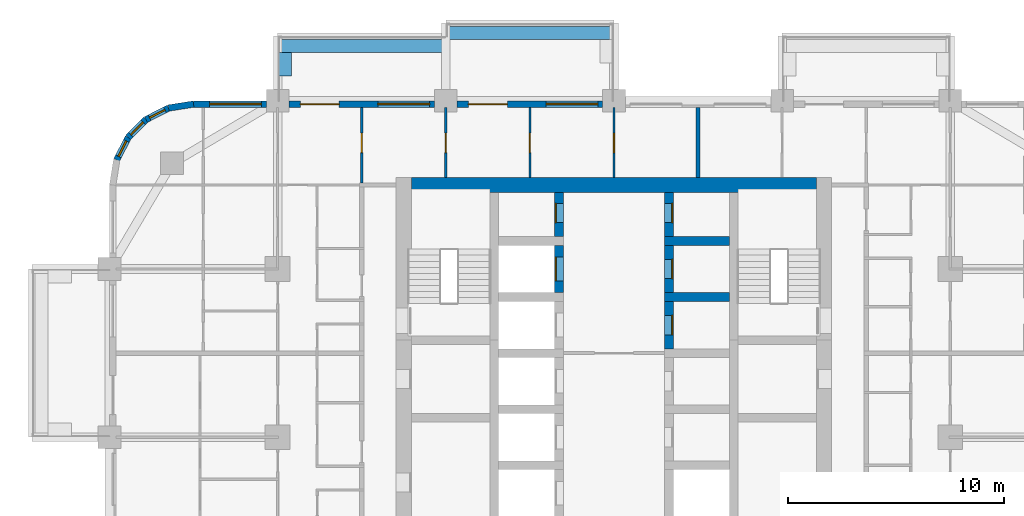
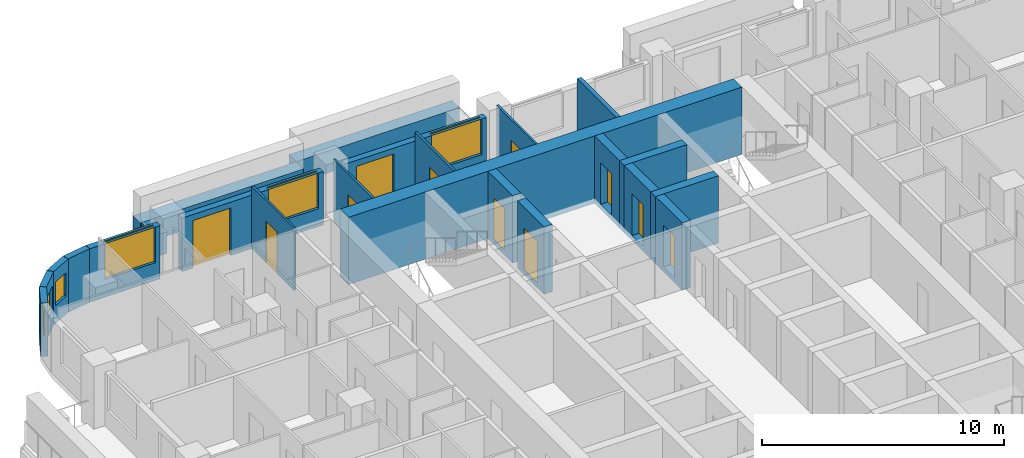
# One storey, part 11 of 17: 23 walls, 11 doors, 6 windows, 17 openings.
"""IFC4 building model written with IfcOpenShell, lengths in metres."""

from ifc_helpers import new_model, si_unit, direction, frame, frame_2d, origin, place, context, subcontext, project, spatial, rectangle, extrude, material, layer, layer_set, type_object, element, fill, save


model = new_model("IFC4")

# Units and contexts
model_context = context("Model", 3, precision=1e-05, world=origin(), true_north=direction((0.0, 1.0)))
body_context = subcontext(model_context, "Body", "Model", "MODEL_VIEW")
ifc_project = project(units=[si_unit("LENGTHUNIT", "METRE"), si_unit("AREAUNIT", "SQUARE_METRE"), si_unit("VOLUMEUNIT", "CUBIC_METRE"), si_unit("PLANEANGLEUNIT", "RADIAN"), si_unit("MASSUNIT", "GRAM", prefix="KILO")], contexts=[model_context])

# Site, building, storey
site_placement = place(None, origin())
site = spatial("IfcSite", under=ifc_project, at=site_placement, CompositionType="ELEMENT")
building_placement = place(site_placement, origin())
building = spatial("IfcBuilding", under=site, at=building_placement, Name="Ludao Terraces", CompositionType="ELEMENT")
storey_placement = place(building_placement, frame((0.0, 0.0, 19.5)))
storey = spatial("IfcBuildingStorey", under=building, at=storey_placement, Name="L04", CompositionType="ELEMENT", Elevation=19.5)

# Walls
ifc_material_1 = material(Name="Concrete C70", Category="concrete")
ifc_layer_1 = layer(ifc_material_1, 0.699951171875)
ifc_layer_set_1 = layer_set([ifc_layer_1], Name="Core wall 700 C70")
wall_type_1 = type_object("IfcWallType", Name="Core wall 700 C70", PredefinedType="SOLIDWALL", material=ifc_layer_set_1)
wall_1_placement = place(storey_placement, frame((75.60009765625, 84.5, -0.25), z_axis=(0.0, 0.0, 1.0), x_axis=(1.0, 0.0, 0.0)))
element("IfcWall", 1, at=wall_1_placement, inside=storey, type_object=wall_type_1, Name="Core wall L04 outer-N", PredefinedType="SOLIDWALL", context=body_context, shape_type="SweptSolid", body=[
    extrude(rectangle(XDim=18.7998046875, YDim=0.699951171875, at=frame_2d((9.39990234375, 0.0))), origin(), (0.0, 0.0, 1.0), 3.39990234375),
])
ifc_material_2 = material(Name="Concrete C40", Category="concrete")
ifc_layer_2 = layer(ifc_material_2, 0.60009765625)
ifc_layer_set_2 = layer_set([ifc_layer_2], Name="ENV Planter trough 600")
wall_type_2 = type_object("IfcWallType", Name="ENV Planter trough 600", PredefinedType="USERDEFINED", material=ifc_layer_set_2)
wall_2_placement = place(storey_placement, frame((69.39990234375, 90.949951171875, 0.0), z_axis=(0.0, 0.0, 1.0), x_axis=(1.0, 0.0, 0.0)))
element("IfcWall", 2, at=wall_2_placement, inside=storey, type_object=wall_type_2, Name="PL-L04-N1", ObjectType="PLANTER", PredefinedType="USERDEFINED", context=body_context, shape_type="SweptSolid", body=[
    extrude(rectangle(XDim=7.800048828125, YDim=0.60009765625, at=frame_2d((3.89990234375, 0.0))), origin(), (0.0, 0.0, 1.0), 1.10009765625),
])
wall_3_placement = place(storey_placement, frame((69.75, 90.64990234375, 0.0), z_axis=(0.0, 0.0, 1.0), x_axis=(0.0, -1.0, 0.0)))
element("IfcWall", 3, at=wall_3_placement, inside=storey, type_object=wall_type_2, Name="PL-L04-N1-SA", ObjectType="PLANTER", PredefinedType="USERDEFINED", context=body_context, shape_type="SweptSolid", body=[
    extrude(rectangle(XDim=1.099853515625, YDim=0.60009765625, at=frame_2d((0.5498046875, 0.0))), origin(), (0.0, 0.0, 1.0), 1.10009765625),
])
wall_4_placement = place(storey_placement, frame((77.199951171875, 91.550048828125, 0.0), z_axis=(0.0, 0.0, 1.0), x_axis=(1.0, 0.0, 0.0)))
element("IfcWall", 4, at=wall_4_placement, inside=storey, type_object=wall_type_2, Name="PL-L04-N2", ObjectType="PLANTER", PredefinedType="USERDEFINED", context=body_context, shape_type="SweptSolid", body=[
    extrude(rectangle(XDim=7.800048828125, YDim=0.60009765625, at=frame_2d((3.89990234375, 0.0))), origin(), (0.0, 0.0, 1.0), 1.10009765625),
])

# Wall, opening, window
ifc_material_3 = material(Name="Granite cladding", Category="masonry")
ifc_layer_3 = layer(ifc_material_3, 0.0400390625, Category="stone")
ifc_material_4 = material(Name="Mineral wool")
ifc_layer_4 = layer(ifc_material_4, 0.06005859375)
ifc_layer_5 = layer(ifc_material_2, 0.199951171875, Category="concrete")
ifc_layer_set_3 = layer_set([ifc_layer_3, ifc_layer_4, ifc_layer_5], Name="ENV Stone-clad wall 300")
wall_type_3 = type_object("IfcWallType", Name="ENV Stone-clad wall 300", PredefinedType="SOLIDWALL", material=ifc_layer_set_3)
wall_5_placement = place(storey_placement, frame((65.5, 88.25, 0.0), z_axis=(0.0, 0.0, 1.0), x_axis=(1.0, 0.0, 0.0)))
wall_5 = element("IfcWall", 5, at=wall_5_placement, inside=storey, type_object=wall_type_3, Name="EW-L04-N1", PredefinedType="SOLIDWALL", context=body_context, shape_type="SweptSolid", body=[
    extrude(rectangle(XDim=3.375, YDim=0.300048828125, at=frame_2d((1.6875, 0.0))), origin(), (0.0, 0.0, 1.0), 2.699951171875),
])
opening_1_placement = place(wall_5_placement, frame((0.75, 0.0, 0.89990234375)))
opening_1 = element("IfcOpeningElement", 6, at=opening_1_placement, cuts=wall_5, Name="Opening W1", PredefinedType="OPENING", context=body_context, shape_type="SweptSolid", body=[
    extrude(rectangle(XDim=2.39990234375, YDim=1.800048828125, at=frame_2d((1.199951171875, 0.89990234375))), frame((0.0, 0.16015625, 0.0), z_axis=(0.0, -1.0, 0.0), x_axis=(1.0, 0.0, 0.0)), (0.0, 0.0, 1.0), 0.320068359375),
])
ifc_material_5 = material(Name="Clear glass in aluminium frame", Category="aluminium")
ifc_layer_6 = layer(ifc_material_5, 0.06005859375)
ifc_layer_set_4 = layer_set([ifc_layer_6], Name="ENV Window W1 2400x1800")
window_type_1 = type_object("IfcWindowType", Name="ENV Window W1 2400x1800", PartitioningType="DOUBLE_PANEL_VERTICAL", PredefinedType="WINDOW", material=ifc_layer_set_4)
window_1_placement = place(opening_1_placement, origin())
window_1 = element("IfcWindow", 7, at=window_1_placement, inside=storey, type_object=window_type_1, Name="W-L04-N1-1", OverallHeight=1.800048828125, OverallWidth=2.39990234375, PartitioningType="DOUBLE_PANEL_VERTICAL", PredefinedType="WINDOW", context=body_context, shape_type="SweptSolid", body=[
    extrude(rectangle(XDim=2.39990234375, YDim=1.800048828125, at=frame_2d((1.199951171875, 0.89990234375))), frame((0.0, 0.030029296875, 0.0), z_axis=(0.0, -1.0, 0.0), x_axis=(1.0, 0.0, 0.0)), (0.0, 0.0, 1.0), 0.06005859375),
])
fill(opening_1, window_1)

# Wall, openings, door, window
wall_6_placement = place(storey_placement, frame((69.925048828125, 88.25, 0.0), z_axis=(0.0, 0.0, 1.0), x_axis=(1.0, 0.0, 0.0)))
wall_6 = element("IfcWall", 8, at=wall_6_placement, inside=storey, type_object=wall_type_3, Name="EW-L04-N2", PredefinedType="SOLIDWALL", context=body_context, shape_type="SweptSolid", body=[
    extrude(rectangle(XDim=6.75, YDim=0.300048828125, at=frame_2d((3.375, 0.0))), origin(), (0.0, 0.0, 1.0), 2.699951171875),
])
opening_2_placement = place(wall_6_placement, frame((0.52490234375, 0.0, 0.0)))
opening_2 = element("IfcOpeningElement", 9, at=opening_2_placement, cuts=wall_6, Name="Opening BD", PredefinedType="OPENING", context=body_context, shape_type="SweptSolid", body=[
    extrude(rectangle(XDim=1.800048828125, YDim=2.39990234375, at=frame_2d((0.89990234375, 1.199951171875))), frame((0.0, 0.16015625, 0.0), z_axis=(0.0, -1.0, 0.0), x_axis=(1.0, 0.0, 0.0)), (0.0, 0.0, 1.0), 0.320068359375),
])
opening_3_placement = place(wall_6_placement, frame((4.125, 0.0, 0.89990234375)))
opening_3 = element("IfcOpeningElement", 10, at=opening_3_placement, cuts=wall_6, Name="Opening W1", PredefinedType="OPENING", context=body_context, shape_type="SweptSolid", body=[
    extrude(rectangle(XDim=2.39990234375, YDim=1.800048828125, at=frame_2d((1.199951171875, 0.89990234375))), frame((0.0, 0.16015625, 0.0), z_axis=(0.0, -1.0, 0.0), x_axis=(1.0, 0.0, 0.0)), (0.0, 0.0, 1.0), 0.320068359375),
])
ifc_material_6 = material(Name="Aluminium glazed door", Category="aluminium")
ifc_layer_7 = layer(ifc_material_6, 0.06005859375)
ifc_layer_set_5 = layer_set([ifc_layer_7], Name="ENV Balcony door BD 1800x2400")
door_type_1 = type_object("IfcDoorType", Name="ENV Balcony door BD 1800x2400", OperationType="DOUBLE_DOOR_SINGLE_SWING", PredefinedType="DOOR", material=ifc_layer_set_5)
door_1_placement = place(opening_2_placement, origin())
door_1 = element("IfcDoor", 11, at=door_1_placement, inside=storey, type_object=door_type_1, Name="BD-L04-N2-1", OperationType="DOUBLE_DOOR_SINGLE_SWING", OverallHeight=2.39990234375, OverallWidth=1.800048828125, PredefinedType="DOOR", context=body_context, shape_type="SweptSolid", body=[
    extrude(rectangle(XDim=1.800048828125, YDim=2.39990234375, at=frame_2d((0.89990234375, 1.199951171875))), frame((0.0, 0.02490234375, 0.0), z_axis=(0.0, -1.0, 0.0), x_axis=(1.0, 0.0, 0.0)), (0.0, 0.0, 1.0), 0.050048828125),
])
fill(opening_2, door_1)
window_2_placement = place(opening_3_placement, origin())
window_2 = element("IfcWindow", 12, at=window_2_placement, inside=storey, type_object=window_type_1, Name="W-L04-N2-2", OverallHeight=1.800048828125, OverallWidth=2.39990234375, PartitioningType="DOUBLE_PANEL_VERTICAL", PredefinedType="WINDOW", context=body_context, shape_type="SweptSolid", body=[
    extrude(rectangle(XDim=2.39990234375, YDim=1.800048828125, at=frame_2d((1.199951171875, 0.89990234375))), frame((0.0, 0.030029296875, 0.0), z_axis=(0.0, -1.0, 0.0), x_axis=(1.0, 0.0, 0.0)), (0.0, 0.0, 1.0), 0.06005859375),
])
fill(opening_3, window_2)

wall_7_placement = place(storey_placement, frame((77.72509765625, 88.25, 0.0), z_axis=(0.0, 0.0, 1.0), x_axis=(1.0, 0.0, 0.0)))
wall_7 = element("IfcWall", 13, at=wall_7_placement, inside=storey, type_object=wall_type_3, Name="EW-L04-N3", PredefinedType="SOLIDWALL", context=body_context, shape_type="SweptSolid", body=[
    extrude(rectangle(XDim=6.75, YDim=0.300048828125, at=frame_2d((3.375, 0.0))), origin(), (0.0, 0.0, 1.0), 2.699951171875),
])
opening_4_placement = place(wall_7_placement, frame((0.52490234375, 0.0, 0.0)))
opening_4 = element("IfcOpeningElement", 14, at=opening_4_placement, cuts=wall_7, Name="Opening BD", PredefinedType="OPENING", context=body_context, shape_type="SweptSolid", body=[
    extrude(rectangle(XDim=1.800048828125, YDim=2.39990234375, at=frame_2d((0.89990234375, 1.199951171875))), frame((0.0, 0.16015625, 0.0), z_axis=(0.0, -1.0, 0.0), x_axis=(1.0, 0.0, 0.0)), (0.0, 0.0, 1.0), 0.320068359375),
])
opening_5_placement = place(wall_7_placement, frame((4.125, 0.0, 0.89990234375)))
opening_5 = element("IfcOpeningElement", 15, at=opening_5_placement, cuts=wall_7, Name="Opening W1", PredefinedType="OPENING", context=body_context, shape_type="SweptSolid", body=[
    extrude(rectangle(XDim=2.39990234375, YDim=1.800048828125, at=frame_2d((1.199951171875, 0.89990234375))), frame((0.0, 0.16015625, 0.0), z_axis=(0.0, -1.0, 0.0), x_axis=(1.0, 0.0, 0.0)), (0.0, 0.0, 1.0), 0.320068359375),
])
door_2_placement = place(opening_4_placement, origin())
door_2 = element("IfcDoor", 16, at=door_2_placement, inside=storey, type_object=door_type_1, Name="BD-L04-N3-1", OperationType="DOUBLE_DOOR_SINGLE_SWING", OverallHeight=2.39990234375, OverallWidth=1.800048828125, PredefinedType="DOOR", context=body_context, shape_type="SweptSolid", body=[
    extrude(rectangle(XDim=1.800048828125, YDim=2.39990234375, at=frame_2d((0.89990234375, 1.199951171875))), frame((0.0, 0.02490234375, 0.0), z_axis=(0.0, -1.0, 0.0), x_axis=(1.0, 0.0, 0.0)), (0.0, 0.0, 1.0), 0.050048828125),
])
fill(opening_4, door_2)
window_3_placement = place(opening_5_placement, origin())
window_3 = element("IfcWindow", 17, at=window_3_placement, inside=storey, type_object=window_type_1, Name="W-L04-N3-2", OverallHeight=1.800048828125, OverallWidth=2.39990234375, PartitioningType="DOUBLE_PANEL_VERTICAL", PredefinedType="WINDOW", context=body_context, shape_type="SweptSolid", body=[
    extrude(rectangle(XDim=2.39990234375, YDim=1.800048828125, at=frame_2d((1.199951171875, 0.89990234375))), frame((0.0, 0.030029296875, 0.0), z_axis=(0.0, -1.0, 0.0), x_axis=(1.0, 0.0, 0.0)), (0.0, 0.0, 1.0), 0.06005859375),
])
fill(opening_5, window_3)

# Wall
wall_8_placement = place(storey_placement, frame((65.5, 88.25, 0.0), z_axis=(0.0, 0.0, 1.0), x_axis=(-0.987678452879, -0.156496880861, 0.0)))
element("IfcWall", 18, at=wall_8_placement, inside=storey, type_object=wall_type_3, Name="EW-L04-NW1", PredefinedType="SOLIDWALL", context=body_context, shape_type="SweptSolid", body=[
    extrude(rectangle(XDim=1.173095703125, YDim=0.300048828125, at=frame_2d((0.58642578125, 0.0))), origin(), (0.0, 0.0, 1.0), 2.699951171875),
])

# Wall, opening, window
wall_9_placement = place(storey_placement, frame((64.34130859375, 88.06640625, 0.0), z_axis=(0.0, 0.0, 1.0), x_axis=(-0.890988677504, -0.454025524128, 0.0)))
wall_9 = element("IfcWall", 19, at=wall_9_placement, inside=storey, type_object=wall_type_3, Name="EW-L04-NW2", PredefinedType="SOLIDWALL", context=body_context, shape_type="SweptSolid", body=[
    extrude(rectangle(XDim=1.17333984375, YDim=0.300048828125, at=frame_2d((0.586669921875, 0.0))), origin(), (0.0, 0.0, 1.0), 2.699951171875),
])
opening_6_placement = place(wall_9_placement, frame((0.1865234375, 0.0, 0.89990234375)))
opening_6 = element("IfcOpeningElement", 20, at=opening_6_placement, cuts=wall_9, Name="Opening W3", PredefinedType="OPENING", context=body_context, shape_type="SweptSolid", body=[
    extrude(rectangle(XDim=0.800048828125, YDim=1.199951171875, at=frame_2d((0.39990234375, 0.60009765625))), frame((0.0, 0.16015625, 0.0), z_axis=(0.0, -1.0, 0.0), x_axis=(1.0, 0.0, 0.0)), (0.0, 0.0, 1.0), 0.320068359375),
])
ifc_layer_8 = layer(ifc_material_5, 0.06005859375)
ifc_layer_set_6 = layer_set([ifc_layer_8], Name="ENV Window W3 800x1200")
window_type_2 = type_object("IfcWindowType", Name="ENV Window W3 800x1200", PartitioningType="SINGLE_PANEL", PredefinedType="WINDOW", material=ifc_layer_set_6)
window_4_placement = place(opening_6_placement, origin())
window_4 = element("IfcWindow", 21, at=window_4_placement, inside=storey, type_object=window_type_2, Name="W-L04-NW2", OverallHeight=1.199951171875, OverallWidth=0.800048828125, PartitioningType="SINGLE_PANEL", PredefinedType="WINDOW", context=body_context, shape_type="SweptSolid", body=[
    extrude(rectangle(XDim=0.800048828125, YDim=1.199951171875, at=frame_2d((0.39990234375, 0.60009765625))), frame((0.0, 0.030029296875, 0.0), z_axis=(0.0, -1.0, 0.0), x_axis=(1.0, 0.0, 0.0)), (0.0, 0.0, 1.0), 0.06005859375),
])
fill(opening_6, window_4)

wall_10_placement = place(storey_placement, frame((63.2958984375, 87.53369140625, 0.0), z_axis=(0.0, 0.0, 1.0), x_axis=(-0.707106781187, -0.707106781187, 0.0)))
wall_10 = element("IfcWall", 22, at=wall_10_placement, inside=storey, type_object=wall_type_3, Name="EW-L04-NW3", PredefinedType="SOLIDWALL", context=body_context, shape_type="SweptSolid", body=[
    extrude(rectangle(XDim=1.173095703125, YDim=0.300048828125, at=frame_2d((0.58642578125, 0.0))), origin(), (0.0, 0.0, 1.0), 2.699951171875),
])
opening_7_placement = place(wall_10_placement, frame((0.1865234375, 0.0, 0.89990234375)))
opening_7 = element("IfcOpeningElement", 23, at=opening_7_placement, cuts=wall_10, Name="Opening W3", PredefinedType="OPENING", context=body_context, shape_type="SweptSolid", body=[
    extrude(rectangle(XDim=0.800048828125, YDim=1.199951171875, at=frame_2d((0.39990234375, 0.60009765625))), frame((0.0, 0.16015625, 0.0), z_axis=(0.0, -1.0, 0.0), x_axis=(1.0, 0.0, 0.0)), (0.0, 0.0, 1.0), 0.320068359375),
])
window_5_placement = place(opening_7_placement, origin())
window_5 = element("IfcWindow", 24, at=window_5_placement, inside=storey, type_object=window_type_2, Name="W-L04-NW3", OverallHeight=1.199951171875, OverallWidth=0.800048828125, PartitioningType="SINGLE_PANEL", PredefinedType="WINDOW", context=body_context, shape_type="SweptSolid", body=[
    extrude(rectangle(XDim=0.800048828125, YDim=1.199951171875, at=frame_2d((0.39990234375, 0.60009765625))), frame((0.0, 0.030029296875, 0.0), z_axis=(0.0, -1.0, 0.0), x_axis=(1.0, 0.0, 0.0)), (0.0, 0.0, 1.0), 0.06005859375),
])
fill(opening_7, window_5)

wall_11_placement = place(storey_placement, frame((62.46630859375, 86.7041015625, 0.0), z_axis=(0.0, 0.0, 1.0), x_axis=(-0.454025524128, -0.890988677504, 0.0)))
wall_11 = element("IfcWall", 25, at=wall_11_placement, inside=storey, type_object=wall_type_3, Name="EW-L04-NW4", PredefinedType="SOLIDWALL", context=body_context, shape_type="SweptSolid", body=[
    extrude(rectangle(XDim=1.17333984375, YDim=0.300048828125, at=frame_2d((0.586669921875, 0.0))), origin(), (0.0, 0.0, 1.0), 2.699951171875),
])
opening_8_placement = place(wall_11_placement, frame((0.1865234375, 0.0, 0.89990234375)))
opening_8 = element("IfcOpeningElement", 26, at=opening_8_placement, cuts=wall_11, Name="Opening W3", PredefinedType="OPENING", context=body_context, shape_type="SweptSolid", body=[
    extrude(rectangle(XDim=0.800048828125, YDim=1.199951171875, at=frame_2d((0.39990234375, 0.60009765625))), frame((0.0, 0.16015625, 0.0), z_axis=(0.0, -1.0, 0.0), x_axis=(1.0, 0.0, 0.0)), (0.0, 0.0, 1.0), 0.320068359375),
])
window_6_placement = place(opening_8_placement, origin())
window_6 = element("IfcWindow", 27, at=window_6_placement, inside=storey, type_object=window_type_2, Name="W-L04-NW4", OverallHeight=1.199951171875, OverallWidth=0.800048828125, PartitioningType="SINGLE_PANEL", PredefinedType="WINDOW", context=body_context, shape_type="SweptSolid", body=[
    extrude(rectangle(XDim=0.800048828125, YDim=1.199951171875, at=frame_2d((0.39990234375, 0.60009765625))), frame((0.0, 0.030029296875, 0.0), z_axis=(0.0, -1.0, 0.0), x_axis=(1.0, 0.0, 0.0)), (0.0, 0.0, 1.0), 0.06005859375),
])
fill(opening_8, window_6)

# Wall, opening, door
ifc_material_7 = material(Name="Gypsum plasterboard", Category="gypsum")
ifc_layer_9 = layer(ifc_material_7, 0.012451171875, Category="gypsum")
ifc_layer_10 = layer(ifc_material_4, 0.06005859375, Name="insulation")
ifc_material_8 = material(Name="Steel Q235", Category="steel")
ifc_layer_11 = layer(ifc_material_8, 0.014892578125, Name="stud")
ifc_layer_12 = layer(ifc_material_7, 0.012451171875, Category="gypsum")
ifc_layer_set_7 = layer_set([ifc_layer_9, ifc_layer_10, ifc_layer_11, ifc_layer_12], Name="INT Partition 100")
wall_type_4 = type_object("IfcWallType", Name="INT Partition 100", PredefinedType="PARTITIONING", material=ifc_layer_set_7)
wall_12_placement = place(storey_placement, frame((73.300048828125, 84.60009765625, 0.0), z_axis=(0.0, 0.0, 1.0), x_axis=(0.0, 1.0, 0.0)))
wall_12 = element("IfcWall", 28, at=wall_12_placement, inside=storey, type_object=wall_type_4, Name="PW-L04-PW085", PredefinedType="PARTITIONING", context=body_context, shape_type="SweptSolid", body=[
    extrude(rectangle(XDim=3.5, YDim=0.10009765625, at=frame_2d((1.75, 0.0))), origin(), (0.0, 0.0, 1.0), 3.14990234375),
])
opening_9_placement = place(wall_12_placement, frame((1.39990234375, 0.0, 0.0)))
opening_9 = element("IfcOpeningElement", 29, at=opening_9_placement, cuts=wall_12, Name="Opening R01-151", PredefinedType="OPENING", context=body_context, shape_type="SweptSolid", body=[
    extrude(rectangle(XDim=0.89990234375, YDim=2.10009765625, at=frame_2d((0.449951171875, 1.050048828125))), frame((0.0, 0.06005859375, 0.0), z_axis=(0.0, -1.0, 0.0), x_axis=(1.0, 0.0, 0.0)), (0.0, 0.0, 1.0), 0.1201171875),
])
ifc_material_9 = material(Name="Timber door leaf", Category="wood")
door_type_2 = type_object("IfcDoorType", Name="INT Room door 900", OperationType="SINGLE_SWING_LEFT", PredefinedType="DOOR", material=ifc_material_9)
door_3_placement = place(opening_9_placement, origin())
door_3 = element("IfcDoor", 30, at=door_3_placement, inside=storey, type_object=door_type_2, Name="DOOR 151", OperationType="SINGLE_SWING_LEFT", OverallHeight=2.10009765625, OverallWidth=0.89990234375, PredefinedType="DOOR", context=body_context, shape_type="SweptSolid", body=[
    extrude(rectangle(XDim=0.89990234375, YDim=2.10009765625, at=frame_2d((0.449951171875, 1.050048828125))), frame((0.0, 0.02490234375, 0.0), z_axis=(0.0, -1.0, 0.0), x_axis=(1.0, 0.0, 0.0)), (0.0, 0.0, 1.0), 0.050048828125),
])
fill(opening_9, door_3)

wall_13_placement = place(storey_placement, frame((77.199951171875, 84.85009765625, 0.0), z_axis=(0.0, 0.0, 1.0), x_axis=(0.0, 1.0, 0.0)))
wall_13 = element("IfcWall", 31, at=wall_13_placement, inside=storey, type_object=wall_type_4, Name="PW-L04-PW089", PredefinedType="PARTITIONING", context=body_context, shape_type="SweptSolid", body=[
    extrude(rectangle(XDim=3.25, YDim=0.10009765625, at=frame_2d((1.625, 0.0))), origin(), (0.0, 0.0, 1.0), 3.14990234375),
])
opening_10_placement = place(wall_13_placement, frame((1.14990234375, 0.0, 0.0)))
opening_10 = element("IfcOpeningElement", 32, at=opening_10_placement, cuts=wall_13, Name="Opening R01-152", PredefinedType="OPENING", context=body_context, shape_type="SweptSolid", body=[
    extrude(rectangle(XDim=0.89990234375, YDim=2.10009765625, at=frame_2d((0.449951171875, 1.050048828125))), frame((0.0, 0.06005859375, 0.0), z_axis=(0.0, -1.0, 0.0), x_axis=(1.0, 0.0, 0.0)), (0.0, 0.0, 1.0), 0.1201171875),
])
door_4_placement = place(opening_10_placement, origin())
door_4 = element("IfcDoor", 33, at=door_4_placement, inside=storey, type_object=door_type_2, Name="DOOR 152", OperationType="SINGLE_SWING_RIGHT", OverallHeight=2.10009765625, OverallWidth=0.89990234375, PredefinedType="DOOR", context=body_context, shape_type="SweptSolid", body=[
    extrude(rectangle(XDim=0.89990234375, YDim=2.10009765625, at=frame_2d((0.449951171875, 1.050048828125))), frame((0.0, 0.02490234375, 0.0), z_axis=(0.0, -1.0, 0.0), x_axis=(1.0, 0.0, 0.0)), (0.0, 0.0, 1.0), 0.050048828125),
])
fill(opening_10, door_4)

wall_14_placement = place(storey_placement, frame((81.10009765625, 84.85009765625, 0.0), z_axis=(0.0, 0.0, 1.0), x_axis=(0.0, 1.0, 0.0)))
wall_14 = element("IfcWall", 34, at=wall_14_placement, inside=storey, type_object=wall_type_4, Name="PW-L04-PW093", PredefinedType="PARTITIONING", context=body_context, shape_type="SweptSolid", body=[
    extrude(rectangle(XDim=3.25, YDim=0.10009765625, at=frame_2d((1.625, 0.0))), origin(), (0.0, 0.0, 1.0), 3.14990234375),
])
opening_11_placement = place(wall_14_placement, frame((1.14990234375, 0.0, 0.0)))
opening_11 = element("IfcOpeningElement", 35, at=opening_11_placement, cuts=wall_14, Name="Opening R01-153", PredefinedType="OPENING", context=body_context, shape_type="SweptSolid", body=[
    extrude(rectangle(XDim=0.89990234375, YDim=2.10009765625, at=frame_2d((0.449951171875, 1.050048828125))), frame((0.0, 0.06005859375, 0.0), z_axis=(0.0, -1.0, 0.0), x_axis=(1.0, 0.0, 0.0)), (0.0, 0.0, 1.0), 0.1201171875),
])
door_5_placement = place(opening_11_placement, origin())
door_5 = element("IfcDoor", 36, at=door_5_placement, inside=storey, type_object=door_type_2, Name="DOOR 153", OperationType="SINGLE_SWING_RIGHT", OverallHeight=2.10009765625, OverallWidth=0.89990234375, PredefinedType="DOOR", context=body_context, shape_type="SweptSolid", body=[
    extrude(rectangle(XDim=0.89990234375, YDim=2.10009765625, at=frame_2d((0.449951171875, 1.050048828125))), frame((0.0, 0.02490234375, 0.0), z_axis=(0.0, -1.0, 0.0), x_axis=(1.0, 0.0, 0.0)), (0.0, 0.0, 1.0), 0.050048828125),
])
fill(opening_11, door_5)

wall_15_placement = place(storey_placement, frame((85.0, 84.85009765625, 0.0), z_axis=(0.0, 0.0, 1.0), x_axis=(0.0, 1.0, 0.0)))
wall_15 = element("IfcWall", 37, at=wall_15_placement, inside=storey, type_object=wall_type_4, Name="PW-L04-PW097", PredefinedType="PARTITIONING", context=body_context, shape_type="SweptSolid", body=[
    extrude(rectangle(XDim=3.25, YDim=0.10009765625, at=frame_2d((1.625, 0.0))), origin(), (0.0, 0.0, 1.0), 3.14990234375),
])
opening_12_placement = place(wall_15_placement, frame((1.14990234375, 0.0, 0.0)))
opening_12 = element("IfcOpeningElement", 38, at=opening_12_placement, cuts=wall_15, Name="Opening R01-154", PredefinedType="OPENING", context=body_context, shape_type="SweptSolid", body=[
    extrude(rectangle(XDim=0.89990234375, YDim=2.10009765625, at=frame_2d((0.449951171875, 1.050048828125))), frame((0.0, 0.06005859375, 0.0), z_axis=(0.0, -1.0, 0.0), x_axis=(1.0, 0.0, 0.0)), (0.0, 0.0, 1.0), 0.1201171875),
])
door_6_placement = place(opening_12_placement, origin())
door_6 = element("IfcDoor", 39, at=door_6_placement, inside=storey, type_object=door_type_2, Name="DOOR 154", OperationType="SINGLE_SWING_RIGHT", OverallHeight=2.10009765625, OverallWidth=0.89990234375, PredefinedType="DOOR", context=body_context, shape_type="SweptSolid", body=[
    extrude(rectangle(XDim=0.89990234375, YDim=2.10009765625, at=frame_2d((0.449951171875, 1.050048828125))), frame((0.0, 0.02490234375, 0.0), z_axis=(0.0, -1.0, 0.0), x_axis=(1.0, 0.0, 0.0)), (0.0, 0.0, 1.0), 0.050048828125),
])
fill(opening_12, door_6)

# Wall
ifc_material_10 = material(Name="Autoclaved aerated concrete block B06 A3.5", Category="concrete")
ifc_layer_13 = layer(ifc_material_10, 0.199951171875)
ifc_layer_set_8 = layer_set([ifc_layer_13], Name="INT Party wall 200")
wall_type_5 = type_object("IfcWallType", Name="INT Party wall 200", PredefinedType="PARTITIONING", material=ifc_layer_set_8)
wall_16_placement = place(storey_placement, frame((88.89990234375, 84.85009765625, 0.0), z_axis=(0.0, 0.0, 1.0), x_axis=(0.0, 1.0, 0.0)))
element("IfcWall", 40, at=wall_16_placement, inside=storey, type_object=wall_type_5, Name="PW-L04-PW102", PredefinedType="PARTITIONING", context=body_context, shape_type="SweptSolid", body=[
    extrude(rectangle(XDim=3.25, YDim=0.199951171875, at=frame_2d((1.625, 0.0))), origin(), (0.0, 0.0, 1.0), 3.14990234375),
])

# Wall, opening, door
ifc_material_11 = material(Name="Concrete C60", Category="concrete")
ifc_layer_14 = layer(ifc_material_11, 0.39990234375)
ifc_layer_set_9 = layer_set([ifc_layer_14], Name="Shaft wall 400 C60")
wall_type_6 = type_object("IfcWallType", Name="Shaft wall 400 C60", PredefinedType="SOLIDWALL", material=ifc_layer_set_9)
wall_17_placement = place(storey_placement, frame((82.449951171875, 79.5, -0.25), z_axis=(0.0, 0.0, 1.0), x_axis=(0.0, 1.0, 0.0)))
wall_17 = element("IfcWall", 41, at=wall_17_placement, inside=storey, type_object=wall_type_6, Name="Core wall L04 front-W8", PredefinedType="SOLIDWALL", context=body_context, shape_type="SweptSolid", body=[
    extrude(rectangle(XDim=2.199951171875, YDim=0.39990234375, at=frame_2d((1.10009765625, 0.0))), origin(), (0.0, 0.0, 1.0), 3.39990234375),
])
opening_13_placement = place(wall_17_placement, frame((0.550048828125, 0.0, 0.25)))
opening_13 = element("IfcOpeningElement", 42, at=opening_13_placement, cuts=wall_17, Name="Opening LD-FF2", PredefinedType="OPENING", context=body_context, shape_type="SweptSolid", body=[
    extrude(rectangle(XDim=1.10009765625, YDim=2.10009765625, at=frame_2d((0.550048828125, 1.050048828125))), frame((0.0, 0.2099609375, 0.0), z_axis=(0.0, -1.0, 0.0), x_axis=(1.0, 0.0, 0.0)), (0.0, 0.0, 1.0), 0.419921875),
])
ifc_material_12 = material(Name="Stainless steel 304", Category="steel")
door_type_3 = type_object("IfcDoorType", Name="INT Lift landing door 1100", OperationType="SLIDING_TO_LEFT", PredefinedType="DOOR", material=ifc_material_12)
door_7_placement = place(opening_13_placement, origin())
door_7 = element("IfcDoor", 43, at=door_7_placement, inside=storey, type_object=door_type_3, Name="LANDING DOOR FF2 L04", OperationType="SLIDING_TO_LEFT", OverallHeight=2.10009765625, OverallWidth=1.10009765625, PredefinedType="DOOR", context=body_context, shape_type="SweptSolid", body=[
    extrude(rectangle(XDim=1.10009765625, YDim=2.10009765625, at=frame_2d((0.550048828125, 1.050048828125))), frame((0.0, 0.18505859375, 0.0), z_axis=(0.0, -1.0, 0.0), x_axis=(1.0, 0.0, 0.0)), (0.0, 0.0, 1.0), 0.050048828125),
])
fill(opening_13, door_7)

wall_18_placement = place(storey_placement, frame((82.449951171875, 82.10009765625, -0.25), z_axis=(0.0, 0.0, 1.0), x_axis=(0.0, 1.0, 0.0)))
wall_18 = element("IfcWall", 44, at=wall_18_placement, inside=storey, type_object=wall_type_6, Name="Core wall L04 front-W9", PredefinedType="SOLIDWALL", context=body_context, shape_type="SweptSolid", body=[
    extrude(rectangle(XDim=2.0498046875, YDim=0.39990234375, at=frame_2d((1.02490234375, 0.0))), origin(), (0.0, 0.0, 1.0), 3.39990234375),
])
opening_14_placement = place(wall_18_placement, frame((0.64990234375, 0.0, 0.25)))
opening_14 = element("IfcOpeningElement", 45, at=opening_14_placement, cuts=wall_18, Name="Opening R01-144", PredefinedType="OPENING", context=body_context, shape_type="SweptSolid", body=[
    extrude(rectangle(XDim=0.89990234375, YDim=2.10009765625, at=frame_2d((0.449951171875, 1.050048828125))), frame((0.0, 0.2099609375, 0.0), z_axis=(0.0, -1.0, 0.0), x_axis=(1.0, 0.0, 0.0)), (0.0, 0.0, 1.0), 0.419921875),
])
door_8_placement = place(opening_14_placement, origin())
door_8 = element("IfcDoor", 46, at=door_8_placement, inside=storey, type_object=door_type_2, Name="DOOR 144", OperationType="SINGLE_SWING_RIGHT", OverallHeight=2.10009765625, OverallWidth=0.89990234375, PredefinedType="DOOR", context=body_context, shape_type="SweptSolid", body=[
    extrude(rectangle(XDim=0.89990234375, YDim=2.10009765625, at=frame_2d((0.449951171875, 1.050048828125))), frame((0.0, 0.18505859375, 0.0), z_axis=(0.0, -1.0, 0.0), x_axis=(1.0, 0.0, 0.0)), (0.0, 0.0, 1.0), 0.050048828125),
])
fill(opening_14, door_8)

wall_19_placement = place(storey_placement, frame((87.550048828125, 76.89990234375, -0.25), z_axis=(0.0, 0.0, 1.0), x_axis=(0.0, 1.0, 0.0)))
wall_19 = element("IfcWall", 47, at=wall_19_placement, inside=storey, type_object=wall_type_6, Name="Core wall L04 front-E7", PredefinedType="SOLIDWALL", context=body_context, shape_type="SweptSolid", body=[
    extrude(rectangle(XDim=2.2001953125, YDim=0.39990234375, at=frame_2d((1.10009765625, 0.0))), origin(), (0.0, 0.0, 1.0), 3.39990234375),
])
opening_15_placement = place(wall_19_placement, frame((0.64990234375, 0.0, 0.25)))
opening_15 = element("IfcOpeningElement", 48, at=opening_15_placement, cuts=wall_19, Name="Opening R01-126", PredefinedType="OPENING", context=body_context, shape_type="SweptSolid", body=[
    extrude(rectangle(XDim=0.89990234375, YDim=2.10009765625, at=frame_2d((0.449951171875, 1.050048828125))), frame((0.0, 0.2099609375, 0.0), z_axis=(0.0, -1.0, 0.0), x_axis=(1.0, 0.0, 0.0)), (0.0, 0.0, 1.0), 0.419921875),
])
door_9_placement = place(opening_15_placement, origin())
door_9 = element("IfcDoor", 49, at=door_9_placement, inside=storey, type_object=door_type_2, Name="DOOR 126", OperationType="SINGLE_SWING_RIGHT", OverallHeight=2.10009765625, OverallWidth=0.89990234375, PredefinedType="DOOR", context=body_context, shape_type="SweptSolid", body=[
    extrude(rectangle(XDim=0.89990234375, YDim=2.10009765625, at=frame_2d((0.449951171875, 1.050048828125))), frame((0.0, -0.134765625, 0.0), z_axis=(0.0, -1.0, 0.0), x_axis=(1.0, 0.0, 0.0)), (0.0, 0.0, 1.0), 0.050048828125),
])
fill(opening_15, door_9)

# Wall
wall_20_placement = place(storey_placement, frame((87.35009765625, 79.300048828125, -0.25), z_axis=(0.0, 0.0, 1.0), x_axis=(1.0, 0.0, 0.0)))
element("IfcWall", 50, at=wall_20_placement, inside=storey, type_object=wall_type_6, Name="Core wall L04 div-E8", PredefinedType="SOLIDWALL", context=body_context, shape_type="SweptSolid", body=[
    extrude(rectangle(XDim=3.0, YDim=0.39990234375, at=frame_2d((1.5, 0.0))), origin(), (0.0, 0.0, 1.0), 3.39990234375),
])

# Wall, opening, door
wall_21_placement = place(storey_placement, frame((87.550048828125, 79.5, -0.25), z_axis=(0.0, 0.0, 1.0), x_axis=(0.0, 1.0, 0.0)))
wall_21 = element("IfcWall", 51, at=wall_21_placement, inside=storey, type_object=wall_type_6, Name="Core wall L04 front-E8", PredefinedType="SOLIDWALL", context=body_context, shape_type="SweptSolid", body=[
    extrude(rectangle(XDim=2.199951171875, YDim=0.39990234375, at=frame_2d((1.10009765625, 0.0))), origin(), (0.0, 0.0, 1.0), 3.39990234375),
])
opening_16_placement = place(wall_21_placement, frame((0.64990234375, 0.0, 0.25)))
opening_16 = element("IfcOpeningElement", 52, at=opening_16_placement, cuts=wall_21, Name="Opening R01-137", PredefinedType="OPENING", context=body_context, shape_type="SweptSolid", body=[
    extrude(rectangle(XDim=0.89990234375, YDim=2.10009765625, at=frame_2d((0.449951171875, 1.050048828125))), frame((0.0, 0.2099609375, 0.0), z_axis=(0.0, -1.0, 0.0), x_axis=(1.0, 0.0, 0.0)), (0.0, 0.0, 1.0), 0.419921875),
])
door_10_placement = place(opening_16_placement, origin())
door_10 = element("IfcDoor", 53, at=door_10_placement, inside=storey, type_object=door_type_2, Name="DOOR 137", OperationType="SINGLE_SWING_RIGHT", OverallHeight=2.10009765625, OverallWidth=0.89990234375, PredefinedType="DOOR", context=body_context, shape_type="SweptSolid", body=[
    extrude(rectangle(XDim=0.89990234375, YDim=2.10009765625, at=frame_2d((0.449951171875, 1.050048828125))), frame((0.0, -0.134765625, 0.0), z_axis=(0.0, -1.0, 0.0), x_axis=(1.0, 0.0, 0.0)), (0.0, 0.0, 1.0), 0.050048828125),
])
fill(opening_16, door_10)

# Wall
wall_22_placement = place(storey_placement, frame((87.35009765625, 81.89990234375, -0.25), z_axis=(0.0, 0.0, 1.0), x_axis=(1.0, 0.0, 0.0)))
element("IfcWall", 54, at=wall_22_placement, inside=storey, type_object=wall_type_6, Name="Core wall L04 div-E9", PredefinedType="SOLIDWALL", context=body_context, shape_type="SweptSolid", body=[
    extrude(rectangle(XDim=3.0, YDim=0.39990234375, at=frame_2d((1.5, 0.0))), origin(), (0.0, 0.0, 1.0), 3.39990234375),
])

# Wall, opening, door
wall_23_placement = place(storey_placement, frame((87.550048828125, 82.10009765625, -0.25), z_axis=(0.0, 0.0, 1.0), x_axis=(0.0, 1.0, 0.0)))
wall_23 = element("IfcWall", 55, at=wall_23_placement, inside=storey, type_object=wall_type_6, Name="Core wall L04 front-E9", PredefinedType="SOLIDWALL", context=body_context, shape_type="SweptSolid", body=[
    extrude(rectangle(XDim=2.0498046875, YDim=0.39990234375, at=frame_2d((1.02490234375, 0.0))), origin(), (0.0, 0.0, 1.0), 3.39990234375),
])
opening_17_placement = place(wall_23_placement, frame((0.64990234375, 0.0, 0.25)))
opening_17 = element("IfcOpeningElement", 56, at=opening_17_placement, cuts=wall_23, Name="Opening R01-145", PredefinedType="OPENING", context=body_context, shape_type="SweptSolid", body=[
    extrude(rectangle(XDim=0.89990234375, YDim=2.10009765625, at=frame_2d((0.449951171875, 1.050048828125))), frame((0.0, 0.2099609375, 0.0), z_axis=(0.0, -1.0, 0.0), x_axis=(1.0, 0.0, 0.0)), (0.0, 0.0, 1.0), 0.419921875),
])
door_11_placement = place(opening_17_placement, origin())
door_11 = element("IfcDoor", 57, at=door_11_placement, inside=storey, type_object=door_type_2, Name="DOOR 145", OperationType="SINGLE_SWING_LEFT", OverallHeight=2.10009765625, OverallWidth=0.89990234375, PredefinedType="DOOR", context=body_context, shape_type="SweptSolid", body=[
    extrude(rectangle(XDim=0.89990234375, YDim=2.10009765625, at=frame_2d((0.449951171875, 1.050048828125))), frame((0.0, -0.134765625, 0.0), z_axis=(0.0, -1.0, 0.0), x_axis=(1.0, 0.0, 0.0)), (0.0, 0.0, 1.0), 0.050048828125),
])
fill(opening_17, door_11)

save(model, "model.ifc")
